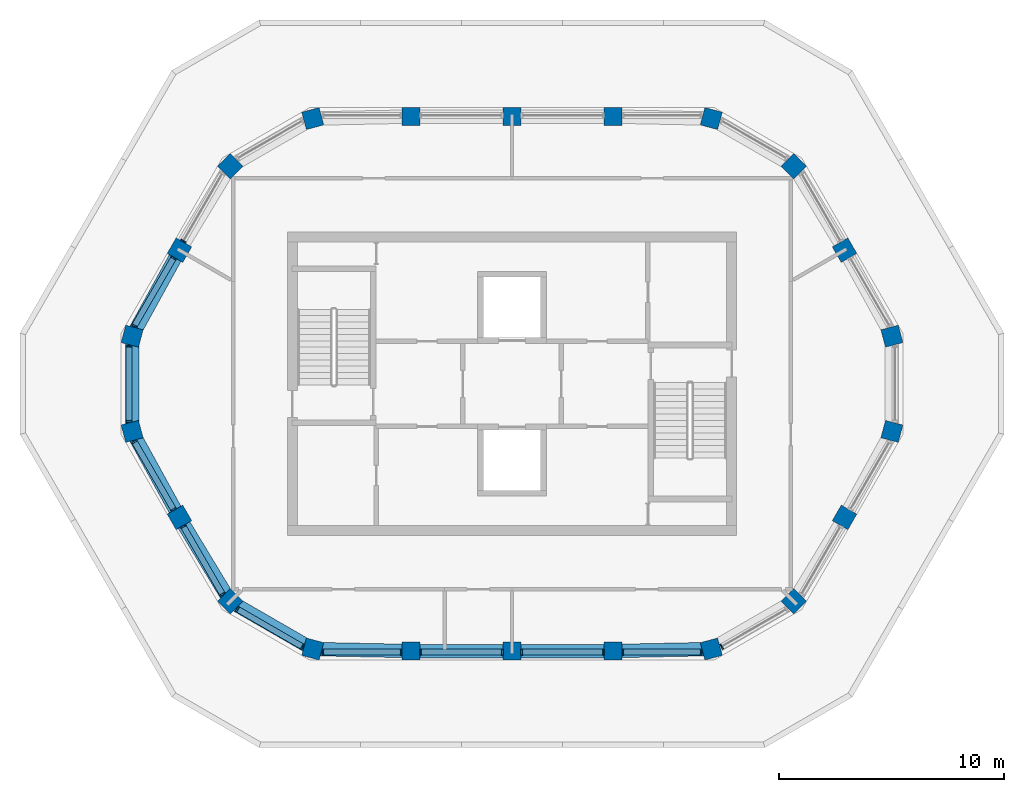
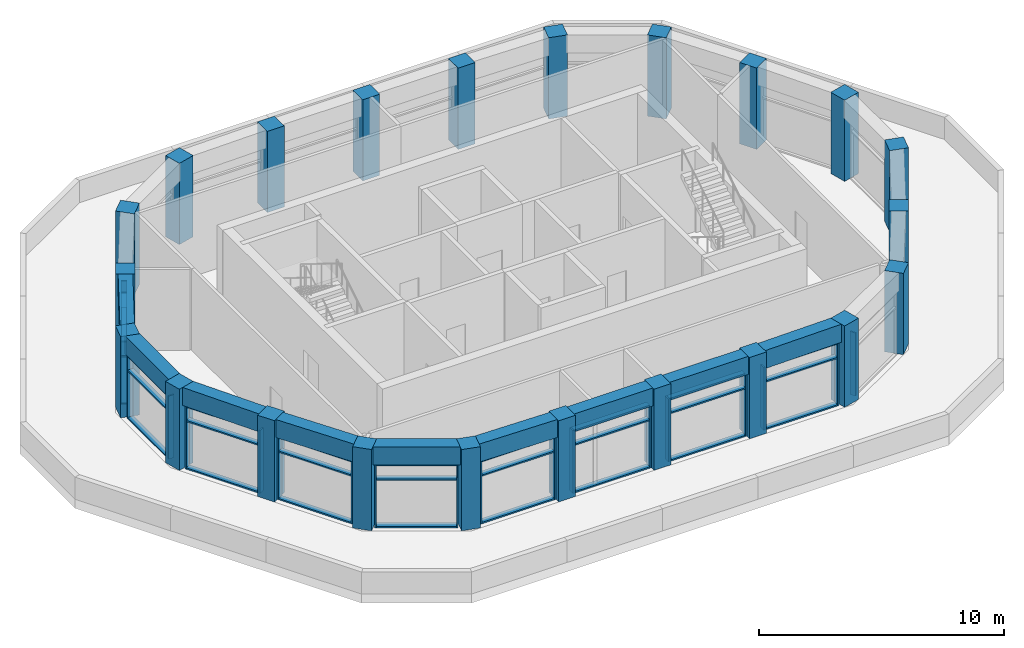
# One storey, part 1 of 8: 47 members, 22 columns, 9 beams, 11 elements without a shape of their own.
"""IFC4 building model written with IfcOpenShell, lengths in metres."""

from ifc_helpers import new_model, si_unit, direction, frame, origin, origin_2d, place, context, subcontext, project, spatial, rectangle, extrude, material, layer, layer_set, material_profile, profile_set, type_object, element, aggregate, save


model = new_model("IFC4")

# Units and contexts
model_context = context("Model", 3, precision=1e-05, world=origin(), true_north=direction((0.0, 1.0)))
body_context = subcontext(model_context, "Body", "Model", "MODEL_VIEW")
ifc_project = project(units=[si_unit("LENGTHUNIT", "METRE"), si_unit("AREAUNIT", "SQUARE_METRE"), si_unit("VOLUMEUNIT", "CUBIC_METRE"), si_unit("PLANEANGLEUNIT", "RADIAN"), si_unit("MASSUNIT", "GRAM", prefix="KILO")], contexts=[model_context])

# Site, building, storey
site_placement = place(None, origin())
site = spatial("IfcSite", under=ifc_project, at=site_placement, CompositionType="ELEMENT")
building_placement = place(site_placement, origin())
building = spatial("IfcBuilding", under=site, at=building_placement, Name="Dhurran Vertical Campus", CompositionType="ELEMENT")
storey_placement = place(building_placement, frame((0.0, 0.0, 323.39990234375)))
storey = spatial("IfcBuildingStorey", under=building, at=storey_placement, Name="L79 Plant", CompositionType="ELEMENT", Elevation=323.39990234375)

# Columns
ifc_material_1 = material(Name="Concrete C60/75", Category="concrete")
ifc_material_profile_1 = material_profile(ifc_material_1, rectangle(XDim=0.800048828125, YDim=0.800048828125, at=origin_2d()), Name="cr/col/R2")
ifc_profile_set_1 = profile_set([ifc_material_profile_1], Name="Concrete C60/75")
column_type = type_object("IfcColumnType", Name="cr/col/R2", PredefinedType="COLUMN", material=ifc_profile_set_1)
for number, where, z_axis, x_axis, name in (
    (1, (-8.86865234375, -11.80419921875, 0.0), (0.0, 0.0, 1.0), (0.965925826289, -0.258819045103, 0.0), "Crown column L79 1"),
    (2, (-4.5, -11.894287109375, 0.0), (0.0, 0.0, 1.0), (1.0, 0.0, 0.0), "Crown column L79 2"),
    (3, (0.0, -11.894287109375, 0.0), (0.0, 0.0, 1.0), (1.0, 0.0, 0.0), "Crown column L79 3"),
    (4, (4.5, -11.894287109375, 0.0), (0.0, 0.0, 1.0), (1.0, 0.0, 0.0), "Crown column L79 4"),
    (5, (8.86865234375, -11.80419921875, 0.0), (0.0, 0.0, 1.0), (0.965925826289, 0.258819045103, 0.0), "Crown column L79 5"),
    (6, (12.53857421875, -9.685546875, 0.0), (0.0, 0.0, 1.0), (0.707106781187, 0.707106781187, 0.0), "Crown column L79 6"),
    (7, (14.80078125, -5.947021484375, 0.0), (0.0, 0.0, 1.0), (0.5, 0.866025403784, 0.0), "Crown column L79 7"),
    (8, (16.9072265625, -2.11865234375, 0.0), (0.0, 0.0, 1.0), (0.258819045103, 0.965925826289, 0.0), "Crown column L79 8"),
    (9, (16.9072265625, 2.11865234375, 0.0), (0.0, 0.0, 1.0), (-0.258819045103, 0.965925826289, 0.0), "Crown column L79 9"),
    (10, (14.80078125, 5.947021484375, 0.0), (0.0, 0.0, 1.0), (-0.5, 0.866025403784, 0.0), "Crown column L79 10"),
    (11, (12.53857421875, 9.685546875, 0.0), (0.0, 0.0, 1.0), (-0.707106781187, 0.707106781187, 0.0), "Crown column L79 11"),
    (12, (8.86865234375, 11.80419921875, 0.0), (0.0, 0.0, 1.0), (-0.965925826289, 0.258819045103, 0.0), "Crown column L79 12"),
    (13, (4.5, 11.894287109375, 0.0), (0.0, 0.0, 1.0), (-1.0, 0.0, 0.0), "Crown column L79 13"),
    (14, (0.0, 11.894287109375, 0.0), (0.0, 0.0, 1.0), (-1.0, 0.0, 0.0), "Crown column L79 14"),
    (15, (-4.5, 11.894287109375, 0.0), (0.0, 0.0, 1.0), (-1.0, 0.0, 0.0), "Crown column L79 15"),
    (16, (-8.86865234375, 11.80419921875, 0.0), (0.0, 0.0, 1.0), (-0.965925826289, -0.258819045103, 0.0), "Crown column L79 16"),
    (17, (-12.53857421875, 9.685546875, 0.0), (0.0, 0.0, 1.0), (-0.707106781187, -0.707106781187, 0.0), "Crown column L79 17"),
    (18, (-14.80078125, 5.947021484375, 0.0), (0.0, 0.0, 1.0), (-0.5, -0.866025403784, 0.0), "Crown column L79 18"),
    (19, (-16.9072265625, 2.11865234375, 0.0), (0.0, 0.0, 1.0), (-0.258819045103, -0.965925826289, 0.0), "Crown column L79 19"),
    (20, (-16.9072265625, -2.11865234375, 0.0), (0.0, 0.0, 1.0), (0.258819045103, -0.965925826289, 0.0), "Crown column L79 20"),
    (21, (-14.80078125, -5.947021484375, 0.0), (0.0, 0.0, 1.0), (0.5, -0.866025403784, 0.0), "Crown column L79 21"),
    (22, (-12.53857421875, -9.685546875, 0.0), (0.0, 0.0, 1.0), (0.707106781187, -0.707106781187, 0.0), "Crown column L79 22"),
):
    element("IfcColumn", number, at=place(storey_placement, frame(where, z_axis=z_axis, x_axis=x_axis)), inside=storey, type_object=column_type, Name=name, PredefinedType="COLUMN", context=body_context, shape_type="SweptSolid", body=[
        extrude(rectangle(XDim=0.800048828125, YDim=0.800048828125, at=origin_2d()), origin(), (0.0, 0.0, 1.0), 4.050048828125),
    ])

# Curtain wall, members
ifc_material_2 = material(Name="Aluminium frame with solar-control glass", Category="aluminium")
ifc_layer = layer(ifc_material_2, 0.260009765625)
ifc_layer_set = layer_set([ifc_layer], Name="Aluminium frame with solar-control glass")
curtain_wall_type = type_object("IfcCurtainWallType", Name="Crown lantern glazing system", PredefinedType="NOTDEFINED", material=ifc_layer_set)
curtain_wall_1_placement = place(storey_placement, origin())
curtain_wall_1 = element("IfcCurtainWall", 23, at=curtain_wall_1_placement, inside=storey, type_object=curtain_wall_type, Name="CW6 L79.00", PredefinedType="NOTDEFINED")
ifc_material_3 = material(Name="Aluminium mullion", Category="aluminium")
ifc_material_profile_2 = material_profile(ifc_material_3, rectangle(XDim=0.260009765625, YDim=0.070068359375, at=origin_2d()), Name="Crown lantern glazing system mullion")
ifc_profile_set_2 = profile_set([ifc_material_profile_2], Name="Aluminium mullion")
member_type_1 = type_object("IfcMemberType", Name="Crown lantern glazing system mullion", PredefinedType="MULLION", material=ifc_profile_set_2)
member_1_placement = place(storey_placement, frame((-8.41650390625, -11.944091796875, 0.0), z_axis=(0.0, 0.0, 1.0), x_axis=(0.0, 1.0, 0.0)))
member_1 = element("IfcMember", 24, at=member_1_placement, type_object=member_type_1, Name="CW6 mullion 1", PredefinedType="MULLION", context=body_context, shape_type="SweptSolid", body=[
    extrude(rectangle(XDim=0.260009765625, YDim=0.070068359375, at=origin_2d()), origin(), (0.0, 0.0, 1.0), 3.150146484375),
])
member_2_placement = place(storey_placement, frame((-4.935546875, -11.944091796875, 0.0), z_axis=(0.0, 0.0, 1.0), x_axis=(0.0, 1.0, 0.0)))
member_2 = element("IfcMember", 25, at=member_2_placement, type_object=member_type_1, Name="CW6 mullion 2", PredefinedType="MULLION", context=body_context, shape_type="SweptSolid", body=[
    extrude(rectangle(XDim=0.260009765625, YDim=0.070068359375, at=origin_2d()), origin(), (0.0, 0.0, 1.0), 3.150146484375),
])

curtain_wall_2_placement = place(storey_placement, origin())
curtain_wall_2 = element("IfcCurtainWall", 26, at=curtain_wall_2_placement, inside=storey, type_object=curtain_wall_type, Name="CW6 L79.01", PredefinedType="NOTDEFINED")
member_3_placement = place(storey_placement, frame((-4.064453125, -11.944091796875, 0.0), z_axis=(0.0, 0.0, 1.0), x_axis=(0.0, 1.0, 0.0)))
member_3 = element("IfcMember", 27, at=member_3_placement, type_object=member_type_1, Name="CW6 mullion 1", PredefinedType="MULLION", context=body_context, shape_type="SweptSolid", body=[
    extrude(rectangle(XDim=0.260009765625, YDim=0.070068359375, at=origin_2d()), origin(), (0.0, 0.0, 1.0), 3.150146484375),
])
member_4_placement = place(storey_placement, frame((-0.435546875, -11.944091796875, 0.0), z_axis=(0.0, 0.0, 1.0), x_axis=(0.0, 1.0, 0.0)))
member_4 = element("IfcMember", 28, at=member_4_placement, type_object=member_type_1, Name="CW6 mullion 2", PredefinedType="MULLION", context=body_context, shape_type="SweptSolid", body=[
    extrude(rectangle(XDim=0.260009765625, YDim=0.070068359375, at=origin_2d()), origin(), (0.0, 0.0, 1.0), 3.150146484375),
])

curtain_wall_3_placement = place(storey_placement, origin())
curtain_wall_3 = element("IfcCurtainWall", 29, at=curtain_wall_3_placement, inside=storey, type_object=curtain_wall_type, Name="CW6 L79.02", PredefinedType="NOTDEFINED")
member_5_placement = place(storey_placement, frame((0.435546875, -11.944091796875, 0.0), z_axis=(0.0, 0.0, 1.0), x_axis=(0.0, 1.0, 0.0)))
member_5 = element("IfcMember", 30, at=member_5_placement, type_object=member_type_1, Name="CW6 mullion 1", PredefinedType="MULLION", context=body_context, shape_type="SweptSolid", body=[
    extrude(rectangle(XDim=0.260009765625, YDim=0.070068359375, at=origin_2d()), origin(), (0.0, 0.0, 1.0), 3.150146484375),
])
member_6_placement = place(storey_placement, frame((4.064453125, -11.944091796875, 0.0), z_axis=(0.0, 0.0, 1.0), x_axis=(0.0, 1.0, 0.0)))
member_6 = element("IfcMember", 31, at=member_6_placement, type_object=member_type_1, Name="CW6 mullion 2", PredefinedType="MULLION", context=body_context, shape_type="SweptSolid", body=[
    extrude(rectangle(XDim=0.260009765625, YDim=0.070068359375, at=origin_2d()), origin(), (0.0, 0.0, 1.0), 3.150146484375),
])

curtain_wall_4_placement = place(storey_placement, origin())
curtain_wall_4 = element("IfcCurtainWall", 32, at=curtain_wall_4_placement, inside=storey, type_object=curtain_wall_type, Name="CW6 L79.03", PredefinedType="NOTDEFINED")
member_7_placement = place(storey_placement, frame((4.935546875, -11.944091796875, 0.0), z_axis=(0.0, 0.0, 1.0), x_axis=(0.0, 1.0, 0.0)))
member_7 = element("IfcMember", 33, at=member_7_placement, type_object=member_type_1, Name="CW6 mullion 1", PredefinedType="MULLION", context=body_context, shape_type="SweptSolid", body=[
    extrude(rectangle(XDim=0.260009765625, YDim=0.070068359375, at=origin_2d()), origin(), (0.0, 0.0, 1.0), 3.150146484375),
])
member_8_placement = place(storey_placement, frame((8.41650390625, -11.944091796875, 0.0), z_axis=(0.0, 0.0, 1.0), x_axis=(0.0, 1.0, 0.0)))
member_8 = element("IfcMember", 34, at=member_8_placement, type_object=member_type_1, Name="CW6 mullion 2", PredefinedType="MULLION", context=body_context, shape_type="SweptSolid", body=[
    extrude(rectangle(XDim=0.260009765625, YDim=0.070068359375, at=origin_2d()), origin(), (0.0, 0.0, 1.0), 3.150146484375),
])

# Curtain wall, member
curtain_wall_5_placement = place(storey_placement, origin())
curtain_wall_5 = element("IfcCurtainWall", 35, at=curtain_wall_5_placement, inside=storey, type_object=curtain_wall_type, Name="CW6 L79.04", PredefinedType="NOTDEFINED")
member_9_placement = place(storey_placement, frame((9.330078125, -11.699462890625, 0.0), z_axis=(0.0, 0.0, 1.0), x_axis=(-0.499991203395, 0.866030482447, 0.0)))
member_9 = element("IfcMember", 36, at=member_9_placement, type_object=member_type_1, Name="CW6 mullion 1", PredefinedType="MULLION", context=body_context, shape_type="SweptSolid", body=[
    extrude(rectangle(XDim=0.260009765625, YDim=0.070068359375, at=origin_2d()), origin(), (0.0, 0.0, 1.0), 3.150146484375),
])
aggregate(curtain_wall_5, [member_9])

curtain_wall_6_placement = place(storey_placement, origin())
curtain_wall_6 = element("IfcCurtainWall", 37, at=curtain_wall_6_placement, inside=storey, type_object=curtain_wall_type, Name="CW6 L79.16", PredefinedType="NOTDEFINED")
member_10_placement = place(storey_placement, frame((-14.626220703125, 6.349365234375, 0.0), z_axis=(0.0, 0.0, 1.0), x_axis=(0.866016292778, -0.500015780395, 0.0)))
member_10 = element("IfcMember", 38, at=member_10_placement, type_object=member_type_1, Name="CW6 mullion 2", PredefinedType="MULLION", context=body_context, shape_type="SweptSolid", body=[
    extrude(rectangle(XDim=0.260009765625, YDim=0.070068359375, at=origin_2d()), origin(), (0.0, 0.0, 1.0), 3.150146484375),
])
aggregate(curtain_wall_6, [member_10])

# Curtain wall, members
curtain_wall_7_placement = place(storey_placement, origin())
curtain_wall_7 = element("IfcCurtainWall", 39, at=curtain_wall_7_placement, inside=storey, type_object=curtain_wall_type, Name="CW6 L79.17", PredefinedType="NOTDEFINED")
member_11_placement = place(storey_placement, frame((-15.061767578125, 5.594970703125, 0.0), z_axis=(0.0, 0.0, 1.0), x_axis=(0.866030372825, -0.499991393271, 0.0)))
member_11 = element("IfcMember", 40, at=member_11_placement, type_object=member_type_1, Name="CW6 mullion 1", PredefinedType="MULLION", context=body_context, shape_type="SweptSolid", body=[
    extrude(rectangle(XDim=0.260009765625, YDim=0.070068359375, at=origin_2d()), origin(), (0.0, 0.0, 1.0), 3.150146484375),
])
member_12_placement = place(storey_placement, frame((-16.802490234375, 2.580078125, 0.0), z_axis=(0.0, 0.0, 1.0), x_axis=(0.866030372825, -0.499991393271, 0.0)))
member_12 = element("IfcMember", 41, at=member_12_placement, type_object=member_type_1, Name="CW6 mullion 2", PredefinedType="MULLION", context=body_context, shape_type="SweptSolid", body=[
    extrude(rectangle(XDim=0.260009765625, YDim=0.070068359375, at=origin_2d()), origin(), (0.0, 0.0, 1.0), 3.150146484375),
])

curtain_wall_8_placement = place(storey_placement, origin())
curtain_wall_8 = element("IfcCurtainWall", 42, at=curtain_wall_8_placement, inside=storey, type_object=curtain_wall_type, Name="CW6 L79.18", PredefinedType="NOTDEFINED")
member_13_placement = place(storey_placement, frame((-17.047119140625, 1.66650390625, 0.0), z_axis=(0.0, 0.0, 1.0), x_axis=(1.0, 0.0, 0.0)))
member_13 = element("IfcMember", 43, at=member_13_placement, type_object=member_type_1, Name="CW6 mullion 1", PredefinedType="MULLION", context=body_context, shape_type="SweptSolid", body=[
    extrude(rectangle(XDim=0.260009765625, YDim=0.070068359375, at=origin_2d()), origin(), (0.0, 0.0, 1.0), 3.150146484375),
])
member_14_placement = place(storey_placement, frame((-17.047119140625, -1.66650390625, 0.0), z_axis=(0.0, 0.0, 1.0), x_axis=(1.0, 0.0, 0.0)))
member_14 = element("IfcMember", 44, at=member_14_placement, type_object=member_type_1, Name="CW6 mullion 2", PredefinedType="MULLION", context=body_context, shape_type="SweptSolid", body=[
    extrude(rectangle(XDim=0.260009765625, YDim=0.070068359375, at=origin_2d()), origin(), (0.0, 0.0, 1.0), 3.150146484375),
])

curtain_wall_9_placement = place(storey_placement, origin())
curtain_wall_9 = element("IfcCurtainWall", 45, at=curtain_wall_9_placement, inside=storey, type_object=curtain_wall_type, Name="CW6 L79.19", PredefinedType="NOTDEFINED")
member_15_placement = place(storey_placement, frame((-16.802490234375, -2.580078125, 0.0), z_axis=(0.0, 0.0, 1.0), x_axis=(0.866030372825, 0.499991393271, 0.0)))
member_15 = element("IfcMember", 46, at=member_15_placement, type_object=member_type_1, Name="CW6 mullion 1", PredefinedType="MULLION", context=body_context, shape_type="SweptSolid", body=[
    extrude(rectangle(XDim=0.260009765625, YDim=0.070068359375, at=origin_2d()), origin(), (0.0, 0.0, 1.0), 3.150146484375),
])
member_16_placement = place(storey_placement, frame((-15.061767578125, -5.594970703125, 0.0), z_axis=(0.0, 0.0, 1.0), x_axis=(0.866030372825, 0.499991393271, 0.0)))
member_16 = element("IfcMember", 47, at=member_16_placement, type_object=member_type_1, Name="CW6 mullion 2", PredefinedType="MULLION", context=body_context, shape_type="SweptSolid", body=[
    extrude(rectangle(XDim=0.260009765625, YDim=0.070068359375, at=origin_2d()), origin(), (0.0, 0.0, 1.0), 3.150146484375),
])

curtain_wall_10_placement = place(storey_placement, origin())
curtain_wall_10 = element("IfcCurtainWall", 48, at=curtain_wall_10_placement, inside=storey, type_object=curtain_wall_type, Name="CW6 L79.20", PredefinedType="NOTDEFINED")
member_17_placement = place(storey_placement, frame((-14.626220703125, -6.349365234375, 0.0), z_axis=(0.0, 0.0, 1.0), x_axis=(0.866016292778, 0.500015780395, 0.0)))
member_17 = element("IfcMember", 49, at=member_17_placement, type_object=member_type_1, Name="CW6 mullion 1", PredefinedType="MULLION", context=body_context, shape_type="SweptSolid", body=[
    extrude(rectangle(XDim=0.260009765625, YDim=0.070068359375, at=origin_2d()), origin(), (0.0, 0.0, 1.0), 3.150146484375),
])
member_18_placement = place(storey_placement, frame((-12.8857421875, -9.364013671875, 0.0), z_axis=(0.0, 0.0, 1.0), x_axis=(0.866016292778, 0.500015780395, 0.0)))
member_18 = element("IfcMember", 50, at=member_18_placement, type_object=member_type_1, Name="CW6 mullion 2", PredefinedType="MULLION", context=body_context, shape_type="SweptSolid", body=[
    extrude(rectangle(XDim=0.260009765625, YDim=0.070068359375, at=origin_2d()), origin(), (0.0, 0.0, 1.0), 3.150146484375),
])

curtain_wall_11_placement = place(storey_placement, origin())
curtain_wall_11 = element("IfcCurtainWall", 51, at=curtain_wall_11_placement, inside=storey, type_object=curtain_wall_type, Name="CW6 L79.21", PredefinedType="NOTDEFINED")
member_19_placement = place(storey_placement, frame((-12.217041015625, -10.03271484375, 0.0), z_axis=(0.0, 0.0, 1.0), x_axis=(0.499991203395, 0.866030482447, 0.0)))
member_19 = element("IfcMember", 52, at=member_19_placement, type_object=member_type_1, Name="CW6 mullion 1", PredefinedType="MULLION", context=body_context, shape_type="SweptSolid", body=[
    extrude(rectangle(XDim=0.260009765625, YDim=0.070068359375, at=origin_2d()), origin(), (0.0, 0.0, 1.0), 3.150146484375),
])
member_20_placement = place(storey_placement, frame((-9.330078125, -11.699462890625, 0.0), z_axis=(0.0, 0.0, 1.0), x_axis=(0.499991203395, 0.866030482447, 0.0)))
member_20 = element("IfcMember", 53, at=member_20_placement, type_object=member_type_1, Name="CW6 mullion 2", PredefinedType="MULLION", context=body_context, shape_type="SweptSolid", body=[
    extrude(rectangle(XDim=0.260009765625, YDim=0.070068359375, at=origin_2d()), origin(), (0.0, 0.0, 1.0), 3.150146484375),
])

# Member
ifc_material_4 = material(Name="Aluminium transom", Category="aluminium")
ifc_material_profile_3 = material_profile(ifc_material_4, rectangle(XDim=0.260009765625, YDim=0.070068359375, at=origin_2d()), Name="Crown lantern glazing system transom")
ifc_profile_set_3 = profile_set([ifc_material_profile_3], Name="Aluminium transom")
member_type_2 = type_object("IfcMemberType", Name="Crown lantern glazing system transom", PredefinedType="USERDEFINED", material=ifc_profile_set_3)
member_21_placement = place(storey_placement, frame((-8.381591796875, -11.944091796875, 0.03515625), z_axis=(1.0, 0.0, 0.0), x_axis=(0.0, 1.0, 0.0)))
member_21 = element("IfcMember", 54, at=member_21_placement, type_object=member_type_2, Name="CW6 transom 1.1", ObjectType="TRANSOM", PredefinedType="USERDEFINED", context=body_context, shape_type="SweptSolid", body=[
    extrude(rectangle(XDim=0.260009765625, YDim=0.070068359375, at=origin_2d()), origin(), (0.0, 0.0, 1.0), 3.4111328125),
])

member_22_placement = place(storey_placement, frame((-8.381591796875, -11.944091796875, 2.400146484375), z_axis=(1.0, 0.0, 0.0), x_axis=(0.0, 1.0, 0.0)))
member_22 = element("IfcMember", 55, at=member_22_placement, type_object=member_type_2, Name="CW6 transom 1.2", ObjectType="TRANSOM", PredefinedType="USERDEFINED", context=body_context, shape_type="SweptSolid", body=[
    extrude(rectangle(XDim=0.260009765625, YDim=0.070068359375, at=origin_2d()), origin(), (0.0, 0.0, 1.0), 3.4111328125),
])

member_23_placement = place(storey_placement, frame((-8.381591796875, -11.944091796875, 3.114990234375), z_axis=(1.0, 0.0, 0.0), x_axis=(0.0, 1.0, 0.0)))
member_23 = element("IfcMember", 56, at=member_23_placement, type_object=member_type_2, Name="CW6 transom 1.3", ObjectType="TRANSOM", PredefinedType="USERDEFINED", context=body_context, shape_type="SweptSolid", body=[
    extrude(rectangle(XDim=0.260009765625, YDim=0.070068359375, at=origin_2d()), origin(), (0.0, 0.0, 1.0), 3.4111328125),
])

aggregate(curtain_wall_1, [member_1, member_2, member_21, member_22, member_23])

member_24_placement = place(storey_placement, frame((-4.029541015625, -11.944091796875, 0.03515625), z_axis=(1.0, 0.0, 0.0), x_axis=(0.0, 1.0, 0.0)))
member_24 = element("IfcMember", 57, at=member_24_placement, type_object=member_type_2, Name="CW6 transom 1.1", ObjectType="TRANSOM", PredefinedType="USERDEFINED", context=body_context, shape_type="SweptSolid", body=[
    extrude(rectangle(XDim=0.260009765625, YDim=0.070068359375, at=origin_2d()), origin(), (0.0, 0.0, 1.0), 3.55908203125),
])

member_25_placement = place(storey_placement, frame((-4.029541015625, -11.944091796875, 2.400146484375), z_axis=(1.0, 0.0, 0.0), x_axis=(0.0, 1.0, 0.0)))
member_25 = element("IfcMember", 58, at=member_25_placement, type_object=member_type_2, Name="CW6 transom 1.2", ObjectType="TRANSOM", PredefinedType="USERDEFINED", context=body_context, shape_type="SweptSolid", body=[
    extrude(rectangle(XDim=0.260009765625, YDim=0.070068359375, at=origin_2d()), origin(), (0.0, 0.0, 1.0), 3.55908203125),
])

member_26_placement = place(storey_placement, frame((-4.029541015625, -11.944091796875, 3.114990234375), z_axis=(1.0, 0.0, 0.0), x_axis=(0.0, 1.0, 0.0)))
member_26 = element("IfcMember", 59, at=member_26_placement, type_object=member_type_2, Name="CW6 transom 1.3", ObjectType="TRANSOM", PredefinedType="USERDEFINED", context=body_context, shape_type="SweptSolid", body=[
    extrude(rectangle(XDim=0.260009765625, YDim=0.070068359375, at=origin_2d()), origin(), (0.0, 0.0, 1.0), 3.55908203125),
])

aggregate(curtain_wall_2, [member_3, member_4, member_24, member_25, member_26])

member_27_placement = place(storey_placement, frame((0.470458984375, -11.944091796875, 0.03515625), z_axis=(1.0, 0.0, 0.0), x_axis=(0.0, 1.0, 0.0)))
member_27 = element("IfcMember", 60, at=member_27_placement, type_object=member_type_2, Name="CW6 transom 1.1", ObjectType="TRANSOM", PredefinedType="USERDEFINED", context=body_context, shape_type="SweptSolid", body=[
    extrude(rectangle(XDim=0.260009765625, YDim=0.070068359375, at=origin_2d()), origin(), (0.0, 0.0, 1.0), 3.55908203125),
])

member_28_placement = place(storey_placement, frame((0.470458984375, -11.944091796875, 2.400146484375), z_axis=(1.0, 0.0, 0.0), x_axis=(0.0, 1.0, 0.0)))
member_28 = element("IfcMember", 61, at=member_28_placement, type_object=member_type_2, Name="CW6 transom 1.2", ObjectType="TRANSOM", PredefinedType="USERDEFINED", context=body_context, shape_type="SweptSolid", body=[
    extrude(rectangle(XDim=0.260009765625, YDim=0.070068359375, at=origin_2d()), origin(), (0.0, 0.0, 1.0), 3.55908203125),
])

member_29_placement = place(storey_placement, frame((0.470458984375, -11.944091796875, 3.114990234375), z_axis=(1.0, 0.0, 0.0), x_axis=(0.0, 1.0, 0.0)))
member_29 = element("IfcMember", 62, at=member_29_placement, type_object=member_type_2, Name="CW6 transom 1.3", ObjectType="TRANSOM", PredefinedType="USERDEFINED", context=body_context, shape_type="SweptSolid", body=[
    extrude(rectangle(XDim=0.260009765625, YDim=0.070068359375, at=origin_2d()), origin(), (0.0, 0.0, 1.0), 3.55908203125),
])

aggregate(curtain_wall_3, [member_5, member_6, member_27, member_28, member_29])

member_30_placement = place(storey_placement, frame((4.970458984375, -11.944091796875, 0.03515625), z_axis=(1.0, 0.0, 0.0), x_axis=(0.0, 1.0, 0.0)))
member_30 = element("IfcMember", 63, at=member_30_placement, type_object=member_type_2, Name="CW6 transom 1.1", ObjectType="TRANSOM", PredefinedType="USERDEFINED", context=body_context, shape_type="SweptSolid", body=[
    extrude(rectangle(XDim=0.260009765625, YDim=0.070068359375, at=origin_2d()), origin(), (0.0, 0.0, 1.0), 3.4111328125),
])

member_31_placement = place(storey_placement, frame((4.970458984375, -11.944091796875, 2.400146484375), z_axis=(1.0, 0.0, 0.0), x_axis=(0.0, 1.0, 0.0)))
member_31 = element("IfcMember", 64, at=member_31_placement, type_object=member_type_2, Name="CW6 transom 1.2", ObjectType="TRANSOM", PredefinedType="USERDEFINED", context=body_context, shape_type="SweptSolid", body=[
    extrude(rectangle(XDim=0.260009765625, YDim=0.070068359375, at=origin_2d()), origin(), (0.0, 0.0, 1.0), 3.4111328125),
])

member_32_placement = place(storey_placement, frame((4.970458984375, -11.944091796875, 3.114990234375), z_axis=(1.0, 0.0, 0.0), x_axis=(0.0, 1.0, 0.0)))
member_32 = element("IfcMember", 65, at=member_32_placement, type_object=member_type_2, Name="CW6 transom 1.3", ObjectType="TRANSOM", PredefinedType="USERDEFINED", context=body_context, shape_type="SweptSolid", body=[
    extrude(rectangle(XDim=0.260009765625, YDim=0.070068359375, at=origin_2d()), origin(), (0.0, 0.0, 1.0), 3.4111328125),
])

aggregate(curtain_wall_4, [member_7, member_8, member_30, member_31, member_32])

member_33_placement = place(storey_placement, frame((-15.079345703125, 5.564697265625, 0.03515625), z_axis=(-0.499972324094, -0.866041381887, 0.0), x_axis=(0.866041381887, -0.499972324094, 0.0)))
member_33 = element("IfcMember", 66, at=member_33_placement, type_object=member_type_2, Name="CW6 transom 1.1", ObjectType="TRANSOM", PredefinedType="USERDEFINED", context=body_context, shape_type="SweptSolid", body=[
    extrude(rectangle(XDim=0.260009765625, YDim=0.070068359375, at=origin_2d()), origin(), (0.0, 0.0, 1.0), 3.411376953125),
])

member_34_placement = place(storey_placement, frame((-15.079345703125, 5.564697265625, 2.400146484375), z_axis=(-0.499972324094, -0.866041381887, 0.0), x_axis=(0.866041381887, -0.499972324094, 0.0)))
member_34 = element("IfcMember", 67, at=member_34_placement, type_object=member_type_2, Name="CW6 transom 1.2", ObjectType="TRANSOM", PredefinedType="USERDEFINED", context=body_context, shape_type="SweptSolid", body=[
    extrude(rectangle(XDim=0.260009765625, YDim=0.070068359375, at=origin_2d()), origin(), (0.0, 0.0, 1.0), 3.411376953125),
])

member_35_placement = place(storey_placement, frame((-15.079345703125, 5.564697265625, 3.114990234375), z_axis=(-0.499972324094, -0.866041381887, 0.0), x_axis=(0.866041381887, -0.499972324094, 0.0)))
member_35 = element("IfcMember", 68, at=member_35_placement, type_object=member_type_2, Name="CW6 transom 1.3", ObjectType="TRANSOM", PredefinedType="USERDEFINED", context=body_context, shape_type="SweptSolid", body=[
    extrude(rectangle(XDim=0.260009765625, YDim=0.070068359375, at=origin_2d()), origin(), (0.0, 0.0, 1.0), 3.411376953125),
])

aggregate(curtain_wall_7, [member_11, member_12, member_33, member_34, member_35])

member_36_placement = place(storey_placement, frame((-17.047119140625, 1.631591796875, 0.03515625), z_axis=(0.0, -1.0, 0.0), x_axis=(1.0, 0.0, 0.0)))
member_36 = element("IfcMember", 69, at=member_36_placement, type_object=member_type_2, Name="CW6 transom 1.1", ObjectType="TRANSOM", PredefinedType="USERDEFINED", context=body_context, shape_type="SweptSolid", body=[
    extrude(rectangle(XDim=0.260009765625, YDim=0.070068359375, at=origin_2d()), origin(), (0.0, 0.0, 1.0), 3.26318359375),
])

member_37_placement = place(storey_placement, frame((-17.047119140625, 1.631591796875, 2.400146484375), z_axis=(0.0, -1.0, 0.0), x_axis=(1.0, 0.0, 0.0)))
member_37 = element("IfcMember", 70, at=member_37_placement, type_object=member_type_2, Name="CW6 transom 1.2", ObjectType="TRANSOM", PredefinedType="USERDEFINED", context=body_context, shape_type="SweptSolid", body=[
    extrude(rectangle(XDim=0.260009765625, YDim=0.070068359375, at=origin_2d()), origin(), (0.0, 0.0, 1.0), 3.26318359375),
])

member_38_placement = place(storey_placement, frame((-17.047119140625, 1.631591796875, 3.114990234375), z_axis=(0.0, -1.0, 0.0), x_axis=(1.0, 0.0, 0.0)))
member_38 = element("IfcMember", 71, at=member_38_placement, type_object=member_type_2, Name="CW6 transom 1.3", ObjectType="TRANSOM", PredefinedType="USERDEFINED", context=body_context, shape_type="SweptSolid", body=[
    extrude(rectangle(XDim=0.260009765625, YDim=0.070068359375, at=origin_2d()), origin(), (0.0, 0.0, 1.0), 3.26318359375),
])

aggregate(curtain_wall_8, [member_13, member_14, member_36, member_37, member_38])

member_39_placement = place(storey_placement, frame((-16.784912109375, -2.6103515625, 0.03515625), z_axis=(0.499972324094, -0.866041381887, 0.0), x_axis=(0.866041381887, 0.499972324094, 0.0)))
member_39 = element("IfcMember", 72, at=member_39_placement, type_object=member_type_2, Name="CW6 transom 1.1", ObjectType="TRANSOM", PredefinedType="USERDEFINED", context=body_context, shape_type="SweptSolid", body=[
    extrude(rectangle(XDim=0.260009765625, YDim=0.070068359375, at=origin_2d()), origin(), (0.0, 0.0, 1.0), 3.411376953125),
])

member_40_placement = place(storey_placement, frame((-16.784912109375, -2.6103515625, 2.400146484375), z_axis=(0.499972324094, -0.866041381887, 0.0), x_axis=(0.866041381887, 0.499972324094, 0.0)))
member_40 = element("IfcMember", 73, at=member_40_placement, type_object=member_type_2, Name="CW6 transom 1.2", ObjectType="TRANSOM", PredefinedType="USERDEFINED", context=body_context, shape_type="SweptSolid", body=[
    extrude(rectangle(XDim=0.260009765625, YDim=0.070068359375, at=origin_2d()), origin(), (0.0, 0.0, 1.0), 3.411376953125),
])

member_41_placement = place(storey_placement, frame((-16.784912109375, -2.6103515625, 3.114990234375), z_axis=(0.499972324094, -0.866041381887, 0.0), x_axis=(0.866041381887, 0.499972324094, 0.0)))
member_41 = element("IfcMember", 74, at=member_41_placement, type_object=member_type_2, Name="CW6 transom 1.3", ObjectType="TRANSOM", PredefinedType="USERDEFINED", context=body_context, shape_type="SweptSolid", body=[
    extrude(rectangle(XDim=0.260009765625, YDim=0.070068359375, at=origin_2d()), origin(), (0.0, 0.0, 1.0), 3.411376953125),
])

aggregate(curtain_wall_9, [member_15, member_16, member_39, member_40, member_41])

member_42_placement = place(storey_placement, frame((-14.60888671875, -6.379638671875, 0.03515625), z_axis=(0.500003314297, -0.866023490266, 0.0), x_axis=(0.866023490266, 0.500003314297, 0.0)))
member_42 = element("IfcMember", 75, at=member_42_placement, type_object=member_type_2, Name="CW6 transom 1.1", ObjectType="TRANSOM", PredefinedType="USERDEFINED", context=body_context, shape_type="SweptSolid", body=[
    extrude(rectangle(XDim=0.260009765625, YDim=0.070068359375, at=origin_2d()), origin(), (0.0, 0.0, 1.0), 3.4111328125),
])

member_43_placement = place(storey_placement, frame((-14.60888671875, -6.379638671875, 2.400146484375), z_axis=(0.500003314297, -0.866023490266, 0.0), x_axis=(0.866023490266, 0.500003314297, 0.0)))
member_43 = element("IfcMember", 76, at=member_43_placement, type_object=member_type_2, Name="CW6 transom 1.2", ObjectType="TRANSOM", PredefinedType="USERDEFINED", context=body_context, shape_type="SweptSolid", body=[
    extrude(rectangle(XDim=0.260009765625, YDim=0.070068359375, at=origin_2d()), origin(), (0.0, 0.0, 1.0), 3.4111328125),
])

member_44_placement = place(storey_placement, frame((-14.60888671875, -6.379638671875, 3.114990234375), z_axis=(0.500003314297, -0.866023490266, 0.0), x_axis=(0.866023490266, 0.500003314297, 0.0)))
member_44 = element("IfcMember", 77, at=member_44_placement, type_object=member_type_2, Name="CW6 transom 1.3", ObjectType="TRANSOM", PredefinedType="USERDEFINED", context=body_context, shape_type="SweptSolid", body=[
    extrude(rectangle(XDim=0.260009765625, YDim=0.070068359375, at=origin_2d()), origin(), (0.0, 0.0, 1.0), 3.4111328125),
])

aggregate(curtain_wall_10, [member_17, member_18, member_42, member_43, member_44])

member_45_placement = place(storey_placement, frame((-12.186767578125, -10.05029296875, 0.03515625), z_axis=(0.866057278891, -0.499944786631, 0.0), x_axis=(0.499944786631, 0.866057278891, 0.0)))
member_45 = element("IfcMember", 78, at=member_45_placement, type_object=member_type_2, Name="CW6 transom 1.1", ObjectType="TRANSOM", PredefinedType="USERDEFINED", context=body_context, shape_type="SweptSolid", body=[
    extrude(rectangle(XDim=0.260009765625, YDim=0.070068359375, at=origin_2d()), origin(), (0.0, 0.0, 1.0), 3.263427734375),
])

member_46_placement = place(storey_placement, frame((-12.186767578125, -10.05029296875, 2.400146484375), z_axis=(0.866057278891, -0.499944786631, 0.0), x_axis=(0.499944786631, 0.866057278891, 0.0)))
member_46 = element("IfcMember", 79, at=member_46_placement, type_object=member_type_2, Name="CW6 transom 1.2", ObjectType="TRANSOM", PredefinedType="USERDEFINED", context=body_context, shape_type="SweptSolid", body=[
    extrude(rectangle(XDim=0.260009765625, YDim=0.070068359375, at=origin_2d()), origin(), (0.0, 0.0, 1.0), 3.263427734375),
])

member_47_placement = place(storey_placement, frame((-12.186767578125, -10.05029296875, 3.114990234375), z_axis=(0.866057278891, -0.499944786631, 0.0), x_axis=(0.499944786631, 0.866057278891, 0.0)))
member_47 = element("IfcMember", 80, at=member_47_placement, type_object=member_type_2, Name="CW6 transom 1.3", ObjectType="TRANSOM", PredefinedType="USERDEFINED", context=body_context, shape_type="SweptSolid", body=[
    extrude(rectangle(XDim=0.260009765625, YDim=0.070068359375, at=origin_2d()), origin(), (0.0, 0.0, 1.0), 3.263427734375),
])

aggregate(curtain_wall_11, [member_19, member_20, member_45, member_46, member_47])

# Beams
ifc_material_5 = material(Name="Concrete C40/50", Category="concrete")
ifc_material_profile_4 = material_profile(ifc_material_5, rectangle(XDim=0.60009765625, YDim=0.89990234375, at=origin_2d()), Name="cr/beam/edge")
ifc_profile_set_4 = profile_set([ifc_material_profile_4], Name="Concrete C40/50")
beam_type = type_object("IfcBeamType", Name="cr/beam/edge", PredefinedType="BEAM", material=ifc_profile_set_4)
beam_1_placement = place(storey_placement, frame((-8.86865234375, -11.80419921875, 3.60009765625), z_axis=(0.999787445949, -0.020617054183, 0.0), x_axis=(0.020617054183, 0.999787445949, 0.0)))
element("IfcBeam", 81, at=beam_1_placement, inside=storey, type_object=beam_type, Name="Crown edge beam L79 1", PredefinedType="BEAM", context=body_context, shape_type="SweptSolid", body=[
    extrude(rectangle(XDim=0.60009765625, YDim=0.89990234375, at=origin_2d()), origin(), (0.0, 0.0, 1.0), 4.36962890625),
])
for number, where, z_axis, x_axis, name in (
    (82, (-4.5, -11.894287109375, 3.60009765625), (1.0, 0.0, 0.0), (0.0, 1.0, 0.0), "Crown edge beam L79 2"),
    (83, (0.0, -11.894287109375, 3.60009765625), (1.0, 0.0, 0.0), (0.0, 1.0, 0.0), "Crown edge beam L79 3"),
):
    element("IfcBeam", number, at=place(storey_placement, frame(where, z_axis=z_axis, x_axis=x_axis)), inside=storey, type_object=beam_type, Name=name, PredefinedType="BEAM", context=body_context, shape_type="SweptSolid", body=[
        extrude(rectangle(XDim=0.60009765625, YDim=0.89990234375, at=origin_2d()), origin(), (0.0, 0.0, 1.0), 4.5),
    ])
for number, where, z_axis, x_axis, name in (
    (84, (4.5, -11.894287109375, 3.60009765625), (0.999787445949, 0.020617054183, 0.0), (-0.020617054183, 0.999787445949, 0.0), "Crown edge beam L79 4"),
    (85, (-14.80078125, 5.947021484375, 3.60009765625), (-0.48206673495, -0.87613450055, 0.0), (0.87613450055, -0.48206673495, 0.0), "Crown edge beam L79 18"),
):
    element("IfcBeam", number, at=place(storey_placement, frame(where, z_axis=z_axis, x_axis=x_axis)), inside=storey, type_object=beam_type, Name=name, PredefinedType="BEAM", context=body_context, shape_type="SweptSolid", body=[
        extrude(rectangle(XDim=0.60009765625, YDim=0.89990234375, at=origin_2d()), origin(), (0.0, 0.0, 1.0), 4.36962890625),
    ])
beam_2_placement = place(storey_placement, frame((-16.9072265625, 2.11865234375, 3.60009765625), z_axis=(0.0, -1.0, 0.0), x_axis=(1.0, 0.0, 0.0)))
element("IfcBeam", 86, at=beam_2_placement, inside=storey, type_object=beam_type, Name="Crown edge beam L79 19", PredefinedType="BEAM", context=body_context, shape_type="SweptSolid", body=[
    extrude(rectangle(XDim=0.60009765625, YDim=0.89990234375, at=origin_2d()), origin(), (0.0, 0.0, 1.0), 4.2373046875),
])
for number, where, z_axis, x_axis, name in (
    (87, (-16.9072265625, -2.11865234375, 3.60009765625), (0.48206673495, -0.87613450055, 0.0), (0.87613450055, 0.48206673495, 0.0), "Crown edge beam L79 20"),
    (88, (-14.80078125, -5.947021484375, 3.60009765625), (0.517704752326, -0.855559343014, 0.0), (0.855559343014, 0.517704752326, 0.0), "Crown edge beam L79 21"),
):
    element("IfcBeam", number, at=place(storey_placement, frame(where, z_axis=z_axis, x_axis=x_axis)), inside=storey, type_object=beam_type, Name=name, PredefinedType="BEAM", context=body_context, shape_type="SweptSolid", body=[
        extrude(rectangle(XDim=0.60009765625, YDim=0.89990234375, at=origin_2d()), origin(), (0.0, 0.0, 1.0), 4.36962890625),
    ])
beam_3_placement = place(storey_placement, frame((-12.53857421875, -9.685546875, 3.60009765625), z_axis=(0.866043595944, -0.499968488931, 0.0), x_axis=(0.499968488931, 0.866043595944, 0.0)))
element("IfcBeam", 89, at=beam_3_placement, inside=storey, type_object=beam_type, Name="Crown edge beam L79 22", PredefinedType="BEAM", context=body_context, shape_type="SweptSolid", body=[
    extrude(rectangle(XDim=0.60009765625, YDim=0.89990234375, at=origin_2d()), origin(), (0.0, 0.0, 1.0), 4.237548828125),
])

save(model, "model.ifc")
